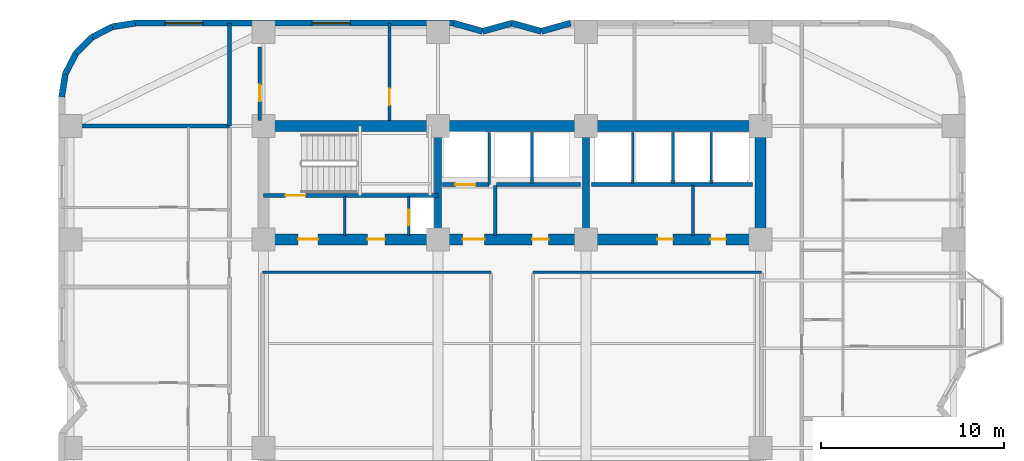
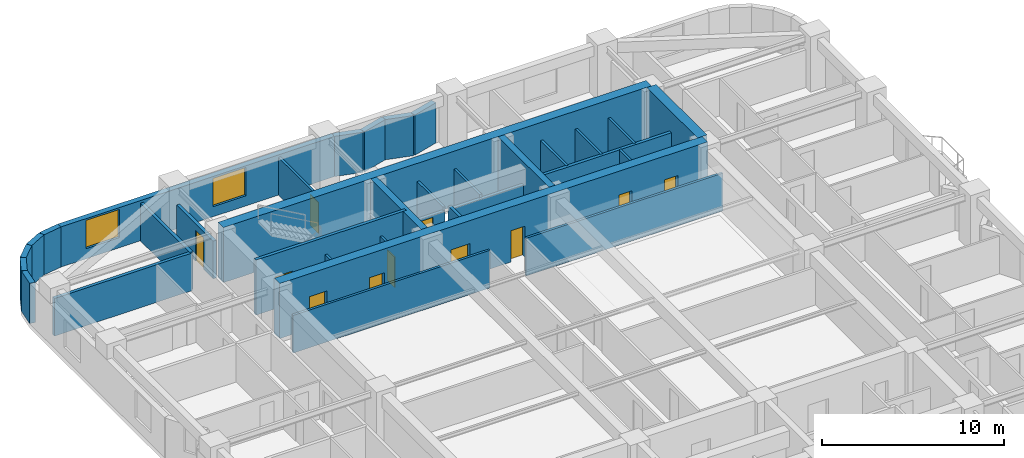
# One storey, part 6 of 9: 34 walls, 11 doors, 2 windows, 13 openings.
"""IFC4 building model written with IfcOpenShell, lengths in metres."""

from ifc_helpers import new_model, si_unit, direction, frame, frame_2d, origin, place, context, subcontext, project, spatial, rectangle, extrude, material, layer, layer_set, type_object, element, fill, save


model = new_model("IFC4")

# Units and contexts
model_context = context("Model", 3, precision=1e-05, world=origin(), true_north=direction((0.0, 1.0)))
body_context = subcontext(model_context, "Body", "Model", "MODEL_VIEW")
ifc_project = project(units=[si_unit("LENGTHUNIT", "METRE"), si_unit("AREAUNIT", "SQUARE_METRE"), si_unit("VOLUMEUNIT", "CUBIC_METRE"), si_unit("PLANEANGLEUNIT", "RADIAN"), si_unit("MASSUNIT", "GRAM", prefix="KILO")], contexts=[model_context])

# Site, building, storey
site_placement = place(None, origin())
site = spatial("IfcSite", under=ifc_project, at=site_placement, CompositionType="ELEMENT")
building_placement = place(site_placement, origin())
building = spatial("IfcBuilding", under=site, at=building_placement, Name="Svetorya Sky Lyceum", CompositionType="ELEMENT")
storey_placement = place(building_placement, frame((0.0, 0.0, 47.300048828125)))
storey = spatial("IfcBuildingStorey", under=building, at=storey_placement, Name="L11", CompositionType="ELEMENT", Elevation=47.300048828125)

# Walls
ifc_material_1 = material(Name="Concrete C40/50", Category="concrete")
ifc_layer_1 = layer(ifc_material_1, 0.39990234375)
ifc_layer_set_1 = layer_set([ifc_layer_1], Name="Concrete C40/50")
wall_type_1 = type_object("IfcWallType", Name="WL-CORE-400", PredefinedType="SHEAR", material=ifc_layer_set_1)
for number, where, z_axis, x_axis, name in (
    (1, (35.14990234375, 39.89990234375, 0.0), (0.0, 0.0, 1.0), (0.0, 1.0, 0.0), "L11 NC Internal Shear Web WEB1"),
    (2, (43.25, 39.89990234375, 0.0), (0.0, 0.0, 1.0), (0.0, 1.0, 0.0), "L11 NC Internal Shear Web WEB2"),
):
    element("IfcWall", number, at=place(storey_placement, frame(where, z_axis=z_axis, x_axis=x_axis)), inside=storey, type_object=wall_type_1, Name=name, PredefinedType="SHEAR", context=body_context, shape_type="SweptSolid", body=[
        extrude(rectangle(XDim=5.60009765625, YDim=0.39990234375, at=frame_2d((2.800048828125, 0.0))), origin(), (0.0, 0.0, 1.0), 3.699951171875),
    ])
ifc_material_2 = material(Name="Concrete C60/75", Category="concrete")
ifc_layer_2 = layer(ifc_material_2, 0.60009765625)
ifc_layer_set_2 = layer_set([ifc_layer_2], Name="Concrete C60/75")
wall_type_2 = type_object("IfcWallType", Name="WL-CORE-600", PredefinedType="SHEAR", material=ifc_layer_set_2)
wall_1_placement = place(storey_placement, frame((25.60009765625, 45.800048828125, 0.0), z_axis=(0.0, 0.0, 1.0), x_axis=(1.0, 0.0, 0.0)))
element("IfcWall", 3, at=wall_1_placement, inside=storey, type_object=wall_type_2, Name="L11 NC Outer Core Shear Wall", PredefinedType="SHEAR", context=body_context, shape_type="SweptSolid", body=[
    extrude(rectangle(XDim=27.199951171875, YDim=0.60009765625, at=frame_2d((13.60009765625, 0.0))), origin(), (0.0, 0.0, 1.0), 3.699951171875),
])
wall_2_placement = place(storey_placement, frame((52.800048828125, 39.89990234375, 0.0), z_axis=(0.0, 0.0, 1.0), x_axis=(0.0, 1.0, 0.0)))
element("IfcWall", 4, at=wall_2_placement, inside=storey, type_object=wall_type_2, Name="L11 NC East Core Shear Wall", PredefinedType="SHEAR", context=body_context, shape_type="SweptSolid", body=[
    extrude(rectangle(XDim=5.60009765625, YDim=0.60009765625, at=frame_2d((2.800048828125, 0.0))), origin(), (0.0, 0.0, 1.0), 3.699951171875),
])

# Wall, openings, doors
wall_3_placement = place(storey_placement, frame((52.800048828125, 39.60009765625, 0.0), z_axis=(0.0, 0.0, 1.0), x_axis=(-1.0, 0.0, 0.0)))
wall_3 = element("IfcWall", 5, at=wall_3_placement, inside=storey, type_object=wall_type_2, Name="L11 NC Inner Core Shear Wall", PredefinedType="SHEAR", context=body_context, shape_type="SweptSolid", body=[
    extrude(rectangle(XDim=27.199951171875, YDim=0.60009765625, at=frame_2d((13.60009765625, 0.0))), origin(), (0.0, 0.0, 1.0), 3.699951171875),
])
opening_1_placement = place(wall_3_placement, frame((24.199951171875, 0.0, 0.0)))
opening_1 = element("IfcOpeningElement", 6, at=opening_1_placement, cuts=wall_3, Name="Opening D-ST1", PredefinedType="OPENING", context=body_context, shape_type="SweptSolid", body=[
    extrude(rectangle(XDim=1.10009765625, YDim=2.14990234375, at=frame_2d((0.550048828125, 1.074951171875))), frame((0.0, 0.31005859375, 0.0), z_axis=(0.0, -1.0, 0.0), x_axis=(1.0, 0.0, 0.0)), (0.0, 0.0, 1.0), 0.6201171875),
])
opening_2_placement = place(wall_3_placement, frame((20.550048828125, 0.0, 0.0)))
opening_2 = element("IfcOpeningElement", 7, at=opening_2_placement, cuts=wall_3, Name="Opening D-CAC1", PredefinedType="OPENING", context=body_context, shape_type="SweptSolid", body=[
    extrude(rectangle(XDim=0.949951171875, YDim=2.10009765625, at=frame_2d((0.47509765625, 1.050048828125))), frame((0.0, 0.31005859375, 0.0), z_axis=(0.0, -1.0, 0.0), x_axis=(1.0, 0.0, 0.0)), (0.0, 0.0, 1.0), 0.6201171875),
])
opening_3_placement = place(wall_3_placement, frame((15.10009765625, 0.0, 0.0)))
opening_3 = element("IfcOpeningElement", 8, at=opening_3_placement, cuts=wall_3, Name="Opening D-FL1", PredefinedType="OPENING", context=body_context, shape_type="SweptSolid", body=[
    extrude(rectangle(XDim=1.199951171875, YDim=2.14990234375, at=frame_2d((0.60009765625, 1.074951171875))), frame((0.0, 0.31005859375, 0.0), z_axis=(0.0, -1.0, 0.0), x_axis=(1.0, 0.0, 0.0)), (0.0, 0.0, 1.0), 0.6201171875),
])
opening_4_placement = place(wall_3_placement, frame((11.60009765625, 0.0, 0.0)))
opening_4 = element("IfcOpeningElement", 9, at=opening_4_placement, cuts=wall_3, Name="Opening D-RM1", PredefinedType="OPENING", context=body_context, shape_type="SweptSolid", body=[
    extrude(rectangle(XDim=0.89990234375, YDim=2.10009765625, at=frame_2d((0.449951171875, 1.050048828125))), frame((0.0, 0.31005859375, 0.0), z_axis=(0.0, -1.0, 0.0), x_axis=(1.0, 0.0, 0.0)), (0.0, 0.0, 1.0), 0.6201171875),
])
opening_5_placement = place(wall_3_placement, frame((4.800048828125, 0.0, 0.0)))
opening_5 = element("IfcOpeningElement", 10, at=opening_5_placement, cuts=wall_3, Name="Opening D-CWC1", PredefinedType="OPENING", context=body_context, shape_type="SweptSolid", body=[
    extrude(rectangle(XDim=0.85009765625, YDim=2.10009765625, at=frame_2d((0.425048828125, 1.050048828125))), frame((0.0, 0.31005859375, 0.0), z_axis=(0.0, -1.0, 0.0), x_axis=(1.0, 0.0, 0.0)), (0.0, 0.0, 1.0), 0.6201171875),
])
opening_6_placement = place(wall_3_placement, frame((1.89990234375, 0.0, 0.0)))
opening_6 = element("IfcOpeningElement", 11, at=opening_6_placement, cuts=wall_3, Name="Opening D-CWC1", PredefinedType="OPENING", context=body_context, shape_type="SweptSolid", body=[
    extrude(rectangle(XDim=0.85009765625, YDim=2.10009765625, at=frame_2d((0.425048828125, 1.050048828125))), frame((0.0, 0.31005859375, 0.0), z_axis=(0.0, -1.0, 0.0), x_axis=(1.0, 0.0, 0.0)), (0.0, 0.0, 1.0), 0.6201171875),
])
ifc_material_3 = material(Name="Fire-rated galvanized steel core accessible WC door", Category="steel")
door_type_1 = type_object("IfcDoorType", Name="DR-CACC-950", OperationType="SINGLE_SWING_LEFT", PredefinedType="DOOR", material=ifc_material_3)
door_1_placement = place(opening_2_placement, origin())
door_1 = element("IfcDoor", 12, at=door_1_placement, inside=storey, type_object=door_type_1, Name="L11 North Core Accessible WC Door", OperationType="SINGLE_SWING_RIGHT", OverallHeight=2.10009765625, OverallWidth=0.949951171875, PredefinedType="DOOR", context=body_context, shape_type="SweptSolid", body=[
    extrude(rectangle(XDim=0.949951171875, YDim=2.10009765625, at=frame_2d((0.47509765625, 1.050048828125))), frame((0.0, 0.02490234375, 0.0), z_axis=(0.0, -1.0, 0.0), x_axis=(1.0, 0.0, 0.0)), (0.0, 0.0, 1.0), 0.050048828125),
])
fill(opening_2, door_1)
ifc_material_4 = material(Name="Fire-rated galvanized steel core service closet door", Category="steel")
door_type_2 = type_object("IfcDoorType", Name="DR-CWET-850", OperationType="SINGLE_SWING_LEFT", PredefinedType="DOOR", material=ifc_material_4)
door_2_placement = place(opening_5_placement, origin())
door_2 = element("IfcDoor", 13, at=door_2_placement, inside=storey, type_object=door_type_2, Name="L11 North Pantry Door", OperationType="SINGLE_SWING_LEFT", OverallHeight=2.10009765625, OverallWidth=0.85009765625, PredefinedType="DOOR", context=body_context, shape_type="SweptSolid", body=[
    extrude(rectangle(XDim=0.85009765625, YDim=2.10009765625, at=frame_2d((0.425048828125, 1.050048828125))), frame((0.0, 0.02490234375, 0.0), z_axis=(0.0, -1.0, 0.0), x_axis=(1.0, 0.0, 0.0)), (0.0, 0.0, 1.0), 0.050048828125),
])
fill(opening_5, door_2)
door_3_placement = place(opening_6_placement, origin())
door_3 = element("IfcDoor", 14, at=door_3_placement, inside=storey, type_object=door_type_2, Name="L11 North Laundry Door", OperationType="SINGLE_SWING_RIGHT", OverallHeight=2.10009765625, OverallWidth=0.85009765625, PredefinedType="DOOR", context=body_context, shape_type="SweptSolid", body=[
    extrude(rectangle(XDim=0.85009765625, YDim=2.10009765625, at=frame_2d((0.425048828125, 1.050048828125))), frame((0.0, 0.02490234375, 0.0), z_axis=(0.0, -1.0, 0.0), x_axis=(1.0, 0.0, 0.0)), (0.0, 0.0, 1.0), 0.050048828125),
])
fill(opening_6, door_3)
ifc_material_5 = material(Name="Powder-coated insulated galvanized stair fire door")
door_type_3 = type_object("IfcDoorType", Name="DR-FIRE-1100", OperationType="SINGLE_SWING_LEFT", PredefinedType="DOOR", material=ifc_material_5)
door_4_placement = place(opening_1_placement, origin())
door_4 = element("IfcDoor", 15, at=door_4_placement, inside=storey, type_object=door_type_3, Name="L11 North Stair Airlock Door", OperationType="SINGLE_SWING_LEFT", OverallHeight=2.14990234375, OverallWidth=1.10009765625, PredefinedType="DOOR", context=body_context, shape_type="SweptSolid", body=[
    extrude(rectangle(XDim=1.10009765625, YDim=2.14990234375, at=frame_2d((0.550048828125, 1.074951171875))), frame((0.0, 0.02490234375, 0.0), z_axis=(0.0, -1.0, 0.0), x_axis=(1.0, 0.0, 0.0)), (0.0, 0.0, 1.0), 0.050048828125),
])
fill(opening_1, door_4)
ifc_material_6 = material(Name="Powder-coated insulated galvanized fire door")
door_type_4 = type_object("IfcDoorType", Name="DR-FIRE-1200", OperationType="SINGLE_SWING_LEFT", PredefinedType="DOOR", material=ifc_material_6)
door_5_placement = place(opening_3_placement, origin())
door_5 = element("IfcDoor", 16, at=door_5_placement, inside=storey, type_object=door_type_4, Name="L11 North Firefighting Lift Lobby Door", OperationType="SINGLE_SWING_RIGHT", OverallHeight=2.14990234375, OverallWidth=1.199951171875, PredefinedType="DOOR", context=body_context, shape_type="SweptSolid", body=[
    extrude(rectangle(XDim=1.199951171875, YDim=2.14990234375, at=frame_2d((0.60009765625, 1.074951171875))), frame((0.0, 0.02490234375, 0.0), z_axis=(0.0, -1.0, 0.0), x_axis=(1.0, 0.0, 0.0)), (0.0, 0.0, 1.0), 0.050048828125),
])
fill(opening_3, door_5)
ifc_material_7 = material(Name="Lacquered birch veneer internal door")
door_type_5 = type_object("IfcDoorType", Name="DR-INT-900", OperationType="SINGLE_SWING_LEFT", PredefinedType="DOOR", material=ifc_material_7)
door_6_placement = place(opening_4_placement, origin())
door_6 = element("IfcDoor", 17, at=door_6_placement, inside=storey, type_object=door_type_5, Name="L11 North Laundry Door", OperationType="SINGLE_SWING_RIGHT", OverallHeight=2.10009765625, OverallWidth=0.89990234375, PredefinedType="DOOR", context=body_context, shape_type="SweptSolid", body=[
    extrude(rectangle(XDim=0.89990234375, YDim=2.10009765625, at=frame_2d((0.449951171875, 1.050048828125))), frame((0.0, 0.02490234375, 0.0), z_axis=(0.0, -1.0, 0.0), x_axis=(1.0, 0.0, 0.0)), (0.0, 0.0, 1.0), 0.050048828125),
])
fill(opening_4, door_6)

# Walls
ifc_material_8 = material(Name="Putilovo limestone rainscreen on autoclaved cellular masonry", Category="masonry")
ifc_layer_3 = layer(ifc_material_8, 0.340087890625)
ifc_layer_set_3 = layer_set([ifc_layer_3], Name="Putilovo limestone rainscreen on autoclaved cellular masonry")
wall_type_3 = type_object("IfcWallType", Name="WL-EXT-340", PredefinedType="SOLIDWALL", material=ifc_layer_set_3)
wall_4_placement = place(storey_placement, frame((42.39990234375, 51.429931640625, 0.0), z_axis=(0.0, 0.0, 1.0), x_axis=(-0.962652136636, -0.270741322725, 0.0)))
element("IfcWall", 18, at=wall_4_placement, inside=storey, type_object=wall_type_3, Name="L11 Limestone Exterior Wall 30M", PredefinedType="SOLIDWALL", context=body_context, shape_type="SweptSolid", body=[
    extrude(rectangle(XDim=1.661865234375, YDim=0.340087890625, at=frame_2d((0.8310546875, 0.0))), origin(), (0.0, 0.0, 1.0), 2.699951171875),
])
wall_5_placement = place(storey_placement, frame((40.800048828125, 50.97998046875, 0.0), z_axis=(0.0, 0.0, 1.0), x_axis=(-0.962662902433, 0.270703040766, 0.0)))
element("IfcWall", 19, at=wall_5_placement, inside=storey, type_object=wall_type_3, Name="L11 Limestone Exterior Wall 31M", PredefinedType="SOLIDWALL", context=body_context, shape_type="SweptSolid", body=[
    extrude(rectangle(XDim=1.662109375, YDim=0.340087890625, at=frame_2d((0.8310546875, 0.0))), origin(), (0.0, 0.0, 1.0), 2.699951171875),
])
wall_6_placement = place(storey_placement, frame((39.199951171875, 51.429931640625, 0.0), z_axis=(0.0, 0.0, 1.0), x_axis=(-0.962652136636, -0.270741322725, 0.0)))
element("IfcWall", 20, at=wall_6_placement, inside=storey, type_object=wall_type_3, Name="L11 Limestone Exterior Wall 32M", PredefinedType="SOLIDWALL", context=body_context, shape_type="SweptSolid", body=[
    extrude(rectangle(XDim=1.661865234375, YDim=0.340087890625, at=frame_2d((0.8310546875, 0.0))), origin(), (0.0, 0.0, 1.0), 2.699951171875),
])
wall_7_placement = place(storey_placement, frame((37.60009765625, 50.97998046875, 0.0), z_axis=(0.0, 0.0, 1.0), x_axis=(-0.962662902433, 0.270703040766, 0.0)))
element("IfcWall", 21, at=wall_7_placement, inside=storey, type_object=wall_type_3, Name="L11 Limestone Exterior Wall 33M", PredefinedType="SOLIDWALL", context=body_context, shape_type="SweptSolid", body=[
    extrude(rectangle(XDim=1.662109375, YDim=0.340087890625, at=frame_2d((0.8310546875, 0.0))), origin(), (0.0, 0.0, 1.0), 2.699951171875),
])

# Wall, openings, windows
wall_8_placement = place(storey_placement, frame((36.0, 51.429931640625, 0.0), z_axis=(0.0, 0.0, 1.0), x_axis=(-1.0, 0.0, 0.0)))
wall_8 = element("IfcWall", 22, at=wall_8_placement, inside=storey, type_object=wall_type_3, Name="L11 Limestone Exterior Wall 34M", PredefinedType="SOLIDWALL", context=body_context, shape_type="SweptSolid", body=[
    extrude(rectangle(XDim=17.39990234375, YDim=0.340087890625, at=frame_2d((8.699951171875, 0.0))), origin(), (0.0, 0.0, 1.0), 2.699951171875),
])
opening_7_placement = place(wall_8_placement, frame((5.637451171875, 0.0, 0.679931640625)))
opening_7 = element("IfcOpeningElement", 23, at=opening_7_placement, cuts=wall_8, Name="Opening W-R0", PredefinedType="OPENING", context=body_context, shape_type="SweptSolid", body=[
    extrude(rectangle(XDim=2.10009765625, YDim=1.89990234375, at=frame_2d((1.050048828125, 0.949951171875))), frame((0.0, 0.179931640625, 0.0), z_axis=(0.0, -1.0, 0.0), x_axis=(1.0, 0.0, 0.0)), (0.0, 0.0, 1.0), 0.360107421875),
])
opening_8_placement = place(wall_8_placement, frame((13.6875, 0.0, 0.679931640625)))
opening_8 = element("IfcOpeningElement", 24, at=opening_8_placement, cuts=wall_8, Name="Opening W-R0", PredefinedType="OPENING", context=body_context, shape_type="SweptSolid", body=[
    extrude(rectangle(XDim=2.10009765625, YDim=1.89990234375, at=frame_2d((1.050048828125, 0.949951171875))), frame((0.0, 0.179931640625, 0.0), z_axis=(0.0, -1.0, 0.0), x_axis=(1.0, 0.0, 0.0)), (0.0, 0.0, 1.0), 0.360107421875),
])
ifc_material_9 = material(Name="Thermally broken aluminium frame with triple low-E glazing", Category="aluminium")
window_type = type_object("IfcWindowType", Name="WN-RES-210", PartitioningType="TRIPLE_PANEL_VERTICAL", PredefinedType="WINDOW", material=ifc_material_9)
window_1_placement = place(opening_7_placement, origin())
window_1 = element("IfcWindow", 25, at=window_1_placement, inside=storey, type_object=window_type, Name="L11 Facade Window W-R0.34M.1", OverallHeight=1.89990234375, OverallWidth=2.10009765625, PartitioningType="SINGLE_PANEL", PredefinedType="WINDOW", context=body_context, shape_type="SweptSolid", body=[
    extrude(rectangle(XDim=2.10009765625, YDim=1.89990234375, at=frame_2d((1.050048828125, 0.949951171875))), frame((0.0, 0.030029296875, 0.0), z_axis=(0.0, -1.0, 0.0), x_axis=(1.0, 0.0, 0.0)), (0.0, 0.0, 1.0), 0.06005859375),
])
fill(opening_7, window_1)
window_2_placement = place(opening_8_placement, origin())
window_2 = element("IfcWindow", 26, at=window_2_placement, inside=storey, type_object=window_type, Name="L11 Facade Window W-R0.34M.2", OverallHeight=1.89990234375, OverallWidth=2.10009765625, PartitioningType="SINGLE_PANEL", PredefinedType="WINDOW", context=body_context, shape_type="SweptSolid", body=[
    extrude(rectangle(XDim=2.10009765625, YDim=1.89990234375, at=frame_2d((1.050048828125, 0.949951171875))), frame((0.0, 0.030029296875, 0.0), z_axis=(0.0, -1.0, 0.0), x_axis=(1.0, 0.0, 0.0)), (0.0, 0.0, 1.0), 0.06005859375),
])
fill(opening_8, window_2)

# Walls
wall_9_placement = place(storey_placement, frame((18.60009765625, 51.429931640625, 0.0), z_axis=(0.0, 0.0, 1.0), x_axis=(-0.98771582066, -0.156260864002, 0.0)))
element("IfcWall", 27, at=wall_9_placement, inside=storey, type_object=wall_type_3, Name="L11 Limestone Exterior Wall 35M", PredefinedType="SOLIDWALL", context=body_context, shape_type="SweptSolid", body=[
    extrude(rectangle(XDim=1.2607421875, YDim=0.340087890625, at=frame_2d((0.63037109375, 0.0))), origin(), (0.0, 0.0, 1.0), 2.699951171875),
])
for number, where, z_axis, x_axis, name in (
    (28, (17.354736328125, 51.23291015625, 0.0), (0.0, 0.0, 1.0), (-0.890993689142, -0.454015689056, 0.0), "L11 Limestone Exterior Wall 36M"),
    (29, (16.231201171875, 50.660400390625, 0.0), (0.0, 0.0, 1.0), (-0.707106781187, -0.707106781187, 0.0), "L11 Limestone Exterior Wall 37M"),
    (30, (15.339599609375, 49.768798828125, 0.0), (0.0, 0.0, 1.0), (-0.454015689056, -0.890993689142, 0.0), "L11 Limestone Exterior Wall 38M"),
):
    element("IfcWall", number, at=place(storey_placement, frame(where, z_axis=z_axis, x_axis=x_axis)), inside=storey, type_object=wall_type_3, Name=name, PredefinedType="SOLIDWALL", context=body_context, shape_type="SweptSolid", body=[
        extrude(rectangle(XDim=1.260986328125, YDim=0.340087890625, at=frame_2d((0.63037109375, 0.0))), origin(), (0.0, 0.0, 1.0), 2.699951171875),
    ])
wall_10_placement = place(storey_placement, frame((14.76708984375, 48.645263671875, 0.0), z_axis=(0.0, 0.0, 1.0), x_axis=(-0.156260864002, -0.98771582066, 0.0)))
element("IfcWall", 31, at=wall_10_placement, inside=storey, type_object=wall_type_3, Name="L11 Limestone Exterior Wall 39M", PredefinedType="SOLIDWALL", context=body_context, shape_type="SweptSolid", body=[
    extrude(rectangle(XDim=1.2607421875, YDim=0.340087890625, at=frame_2d((0.63037109375, 0.0))), origin(), (0.0, 0.0, 1.0), 2.699951171875),
])

# Wall, opening, door
ifc_material_10 = material(Name="Autoclaved cellular masonry blockwork with acoustic render", Category="masonry")
ifc_layer_4 = layer(ifc_material_10, 0.14990234375)
ifc_layer_set_4 = layer_set([ifc_layer_4], Name="Autoclaved cellular masonry blockwork with acoustic render")
wall_type_4 = type_object("IfcWallType", Name="WL-PART-150", PredefinedType="PARTITIONING", material=ifc_layer_set_4)
wall_11_placement = place(storey_placement, frame((33.550048828125, 39.820068359375, 0.0), z_axis=(0.0, 0.0, 1.0), x_axis=(0.0, 1.0, 0.0)))
wall_11 = element("IfcWall", 32, at=wall_11_placement, inside=storey, type_object=wall_type_4, Name="L11 Interior Partition NC-RSRW", PredefinedType="PARTITIONING", context=body_context, shape_type="SweptSolid", body=[
    extrude(rectangle(XDim=2.1298828125, YDim=0.14990234375, at=frame_2d((1.06494140625, 0.0))), origin(), (0.0, 0.0, 1.0), 2.530029296875),
])
opening_9_placement = place(wall_11_placement, frame((0.550048828125, 0.0, 0.0)))
opening_9 = element("IfcOpeningElement", 33, at=opening_9_placement, cuts=wall_11, Name="Opening D-SH1", PredefinedType="OPENING", context=body_context, shape_type="SweptSolid", body=[
    extrude(rectangle(XDim=0.85009765625, YDim=2.050048828125, at=frame_2d((0.425048828125, 1.02490234375))), frame((0.0, 0.0849609375, 0.0), z_axis=(0.0, -1.0, 0.0), x_axis=(1.0, 0.0, 0.0)), (0.0, 0.0, 1.0), 0.169921875),
])
ifc_material_11 = material(Name="Insulated galvanized riser inspection fire door")
door_type_6 = type_object("IfcDoorType", Name="DR-SHFT-850", OperationType="SINGLE_SWING_LEFT", PredefinedType="TRAPDOOR", material=ifc_material_11)
door_7_placement = place(opening_9_placement, origin())
door_7 = element("IfcDoor", 34, at=door_7_placement, inside=storey, type_object=door_type_6, Name="L11 North Riser Access Door", OperationType="SINGLE_SWING_LEFT", OverallHeight=2.050048828125, OverallWidth=0.85009765625, PredefinedType="TRAPDOOR", context=body_context, shape_type="SweptSolid", body=[
    extrude(rectangle(XDim=0.85009765625, YDim=2.050048828125, at=frame_2d((0.425048828125, 1.02490234375))), frame((0.0, 0.02490234375, 0.0), z_axis=(0.0, -1.0, 0.0), x_axis=(1.0, 0.0, 0.0)), (0.0, 0.0, 1.0), 0.050048828125),
])
fill(opening_9, door_7)

# Walls
wall_12_placement = place(storey_placement, frame((30.050048828125, 39.820068359375, 0.0), z_axis=(0.0, 0.0, 1.0), x_axis=(0.0, 1.0, 0.0)))
element("IfcWall", 35, at=wall_12_placement, inside=storey, type_object=wall_type_4, Name="L11 Interior Partition NC-NWD1", PredefinedType="PARTITIONING", context=body_context, shape_type="SweptSolid", body=[
    extrude(rectangle(XDim=2.1298828125, YDim=0.14990234375, at=frame_2d((1.06494140625, 0.0))), origin(), (0.0, 0.0, 1.0), 2.530029296875),
])
wall_13_placement = place(storey_placement, frame((37.949951171875, 42.60009765625, 0.0), z_axis=(0.0, 0.0, 1.0), x_axis=(0.0, 1.0, 0.0)))
element("IfcWall", 36, at=wall_13_placement, inside=storey, type_object=wall_type_4, Name="L11 Interior Partition NC-FL1SIDE", PredefinedType="PARTITIONING", context=body_context, shape_type="SweptSolid", body=[
    extrude(rectangle(XDim=2.849853515625, YDim=0.14990234375, at=frame_2d((1.4248046875, 0.0))), origin(), (0.0, 0.0, 1.0), 2.530029296875),
])
for number, where, z_axis, x_axis, name in (
    (37, (40.300048828125, 42.64990234375, 0.0), (0.0, 0.0, 1.0), (0.0, 1.0, 0.0), "L11 Interior Partition NC-PM-D1"),
    (38, (45.800048828125, 42.64990234375, 0.0), (0.0, 0.0, 1.0), (0.0, 1.0, 0.0), "L11 Interior Partition NC-PM3-D"),
    (39, (48.0, 42.64990234375, 0.0), (0.0, 0.0, 1.0), (0.0, 1.0, 0.0), "L11 Interior Partition NC-PH-D1"),
    (40, (50.10009765625, 42.64990234375, 0.0), (0.0, 0.0, 1.0), (0.0, 1.0, 0.0), "L11 Interior Partition NC-PH-D2"),
):
    element("IfcWall", number, at=place(storey_placement, frame(where, z_axis=z_axis, x_axis=x_axis)), inside=storey, type_object=wall_type_4, Name=name, PredefinedType="PARTITIONING", context=body_context, shape_type="SweptSolid", body=[
        extrude(rectangle(XDim=2.800048828125, YDim=0.14990234375, at=frame_2d((1.39990234375, 0.0))), origin(), (0.0, 0.0, 1.0), 2.530029296875),
    ])
wall_14_placement = place(storey_placement, frame((49.10009765625, 39.820068359375, 0.0), z_axis=(0.0, 0.0, 1.0), x_axis=(0.0, 1.0, 0.0)))
element("IfcWall", 41, at=wall_14_placement, inside=storey, type_object=wall_type_4, Name="L11 Interior Partition NC-EDH", PredefinedType="PARTITIONING", context=body_context, shape_type="SweptSolid", body=[
    extrude(rectangle(XDim=2.72998046875, YDim=0.14990234375, at=frame_2d((1.364990234375, 0.0))), origin(), (0.0, 0.0, 1.0), 2.530029296875),
])
for number, where, z_axis, x_axis, name in (
    (42, (25.550048828125, 37.800048828125, 0.0), (0.0, 0.0, 1.0), (1.0, 0.0, 0.0), "L11 Interior Partition CN-MID-W"),
    (43, (40.35009765625, 37.800048828125, 0.0), (0.0, 0.0, 1.0), (1.0, 0.0, 0.0), "L11 Interior Partition CN-MID-E"),
):
    element("IfcWall", number, at=place(storey_placement, frame(where, z_axis=z_axis, x_axis=x_axis)), inside=storey, type_object=wall_type_4, Name=name, PredefinedType="PARTITIONING", context=body_context, shape_type="SweptSolid", body=[
        extrude(rectangle(XDim=12.5, YDim=0.14990234375, at=frame_2d((6.25, 0.0))), origin(), (0.0, 0.0, 1.0), 2.530029296875),
    ])

# Wall, opening, door
wall_15_placement = place(storey_placement, frame((32.5, 46.10009765625, 0.0), z_axis=(0.0, 0.0, 1.0), x_axis=(0.0, 1.0, 0.0)))
wall_15 = element("IfcWall", 44, at=wall_15_placement, inside=storey, type_object=wall_type_4, Name="L11 Interior Partition N-D1", PredefinedType="PARTITIONING", context=body_context, shape_type="SweptSolid", body=[
    extrude(rectangle(XDim=5.329833984375, YDim=0.14990234375, at=frame_2d((2.6650390625, 0.0))), origin(), (0.0, 0.0, 1.0), 2.530029296875),
])
opening_10_placement = place(wall_15_placement, frame((0.85009765625, 0.0, 0.0)))
opening_10 = element("IfcOpeningElement", 45, at=opening_10_placement, cuts=wall_15, Name="Opening D-RM1", PredefinedType="OPENING", context=body_context, shape_type="SweptSolid", body=[
    extrude(rectangle(XDim=0.89990234375, YDim=2.10009765625, at=frame_2d((0.449951171875, 1.050048828125))), frame((0.0, 0.0849609375, 0.0), z_axis=(0.0, -1.0, 0.0), x_axis=(1.0, 0.0, 0.0)), (0.0, 0.0, 1.0), 0.169921875),
])
door_8_placement = place(opening_10_placement, origin())
door_8 = element("IfcDoor", 46, at=door_8_placement, inside=storey, type_object=door_type_5, Name="L11 North Store Door", OperationType="SINGLE_SWING_RIGHT", OverallHeight=2.10009765625, OverallWidth=0.89990234375, PredefinedType="DOOR", context=body_context, shape_type="SweptSolid", body=[
    extrude(rectangle(XDim=0.89990234375, YDim=2.10009765625, at=frame_2d((0.449951171875, 1.050048828125))), frame((0.0, 0.02490234375, 0.0), z_axis=(0.0, -1.0, 0.0), x_axis=(1.0, 0.0, 0.0)), (0.0, 0.0, 1.0), 0.050048828125),
])
fill(opening_10, door_8)

ifc_material_12 = material(Name="Autoclaved cellular masonry blockwork with gypsum plaster", Category="masonry")
ifc_layer_5 = layer(ifc_material_12, 0.199951171875)
ifc_layer_set_5 = layer_set([ifc_layer_5], Name="Autoclaved cellular masonry blockwork with gypsum plaster")
wall_type_5 = type_object("IfcWallType", Name="WL-PART-200", PredefinedType="PARTITIONING", material=ifc_layer_set_5)
wall_16_placement = place(storey_placement, frame((37.949951171875, 42.60009765625, 0.0), z_axis=(0.0, 0.0, 1.0), x_axis=(-1.0, 0.0, 0.0)))
wall_16 = element("IfcWall", 47, at=wall_16_placement, inside=storey, type_object=wall_type_5, Name="L11 Interior Partition NC-FL1W", PredefinedType="PARTITIONING", context=body_context, shape_type="SweptSolid", body=[
    extrude(rectangle(XDim=2.550048828125, YDim=0.199951171875, at=frame_2d((1.27490234375, 0.0))), origin(), (0.0, 0.0, 1.0), 2.300048828125),
])
opening_11_placement = place(wall_16_placement, frame((0.75, 0.0, 0.0)))
opening_11 = element("IfcOpeningElement", 48, at=opening_11_placement, cuts=wall_16, Name="Opening LD-FL", PredefinedType="OPENING", context=body_context, shape_type="SweptSolid", body=[
    extrude(rectangle(XDim=1.10009765625, YDim=2.14990234375, at=frame_2d((0.550048828125, 1.074951171875))), frame((0.0, 0.10986328125, 0.0), z_axis=(0.0, -1.0, 0.0), x_axis=(1.0, 0.0, 0.0)), (0.0, 0.0, 1.0), 0.219970703125),
])
ifc_material_13 = material(Name="Fire-rated stainless AISI 304 firefighting lift landing door")
door_type_7 = type_object("IfcDoorType", Name="DR-LIFT-1100", OperationType="SLIDING_TO_LEFT", PredefinedType="DOOR", material=ifc_material_13)
door_9_placement = place(opening_11_placement, origin())
door_9 = element("IfcDoor", 49, at=door_9_placement, inside=storey, type_object=door_type_7, Name="L11 Firefighting Lift FL1 Landing Door", OperationType="SLIDING_TO_LEFT", OverallHeight=2.14990234375, OverallWidth=1.10009765625, PredefinedType="DOOR", context=body_context, shape_type="SweptSolid", body=[
    extrude(rectangle(XDim=1.10009765625, YDim=2.14990234375, at=frame_2d((0.550048828125, 1.074951171875))), frame((0.0, 0.02490234375, 0.0), z_axis=(0.0, -1.0, 0.0), x_axis=(1.0, 0.0, 0.0)), (0.0, 0.0, 1.0), 0.050048828125),
])
fill(opening_11, door_9)

# Walls
wall_17_placement = place(storey_placement, frame((38.280029296875, 39.820068359375, 0.0), z_axis=(0.0, 0.0, 1.0), x_axis=(0.0, 1.0, 0.0)))
element("IfcWall", 50, at=wall_17_placement, inside=storey, type_object=wall_type_5, Name="L11 Interior Partition NC-FFLDIV", PredefinedType="PARTITIONING", context=body_context, shape_type="SweptSolid", body=[
    extrude(rectangle(XDim=2.72998046875, YDim=0.199951171875, at=frame_2d((1.364990234375, 0.0))), origin(), (0.0, 0.0, 1.0), 2.530029296875),
])
wall_18_placement = place(storey_placement, frame((42.949951171875, 42.60009765625, 0.0), z_axis=(0.0, 0.0, 1.0), x_axis=(-1.0, 0.0, 0.0)))
element("IfcWall", 51, at=wall_18_placement, inside=storey, type_object=wall_type_5, Name="L11 Interior Partition NC-PM12W", PredefinedType="PARTITIONING", context=body_context, shape_type="SweptSolid", body=[
    extrude(rectangle(XDim=4.599853515625, YDim=0.199951171875, at=frame_2d((2.2998046875, 0.0))), origin(), (0.0, 0.0, 1.0), 2.300048828125),
])
wall_19_placement = place(storey_placement, frame((52.35009765625, 42.60009765625, 0.0), z_axis=(0.0, 0.0, 1.0), x_axis=(-1.0, 0.0, 0.0)))
element("IfcWall", 52, at=wall_19_placement, inside=storey, type_object=wall_type_5, Name="L11 Interior Partition NC-PHEW", PredefinedType="PARTITIONING", context=body_context, shape_type="SweptSolid", body=[
    extrude(rectangle(XDim=8.800048828125, YDim=0.199951171875, at=frame_2d((4.39990234375, 0.0))), origin(), (0.0, 0.0, 1.0), 2.530029296875),
])
wall_20_placement = place(storey_placement, frame((14.989990234375, 45.800048828125, 0.0), z_axis=(0.0, 0.0, 1.0), x_axis=(1.0, 0.0, 0.0)))
element("IfcWall", 53, at=wall_20_placement, inside=storey, type_object=wall_type_5, Name="L11 Interior Partition W-CAP-N", PredefinedType="PARTITIONING", context=body_context, shape_type="SweptSolid", body=[
    extrude(rectangle(XDim=8.760009765625, YDim=0.199951171875, at=frame_2d((4.3798828125, 0.0))), origin(), (0.0, 0.0, 1.0), 2.530029296875),
])
wall_21_placement = place(storey_placement, frame((23.75, 45.800048828125, 0.0), z_axis=(0.0, 0.0, 1.0), x_axis=(0.0, 1.0, 0.0)))
element("IfcWall", 54, at=wall_21_placement, inside=storey, type_object=wall_type_5, Name="L11 Interior Partition WC-NW-END", PredefinedType="PARTITIONING", context=body_context, shape_type="SweptSolid", body=[
    extrude(rectangle(XDim=5.6298828125, YDim=0.199951171875, at=frame_2d((2.81494140625, 0.0))), origin(), (0.0, 0.0, 1.0), 2.530029296875),
])

# Wall, opening, door
wall_22_placement = place(storey_placement, frame((25.39990234375, 46.10009765625, 0.0), z_axis=(0.0, 0.0, 1.0), x_axis=(0.0, 1.0, 0.0)))
wall_22 = element("IfcWall", 55, at=wall_22_placement, inside=storey, type_object=wall_type_5, Name="L11 Interior Partition N-EW", PredefinedType="PARTITIONING", context=body_context, shape_type="SweptSolid", body=[
    extrude(rectangle(XDim=4.02978515625, YDim=0.199951171875, at=frame_2d((2.014892578125, 0.0))), origin(), (0.0, 0.0, 1.0), 2.530029296875),
])
opening_12_placement = place(wall_22_placement, frame((1.050048828125, 0.0, 0.0)))
opening_12 = element("IfcOpeningElement", 56, at=opening_12_placement, cuts=wall_22, Name="Opening D-RM1", PredefinedType="OPENING", context=body_context, shape_type="SweptSolid", body=[
    extrude(rectangle(XDim=0.89990234375, YDim=2.10009765625, at=frame_2d((0.449951171875, 1.050048828125))), frame((0.0, 0.10986328125, 0.0), z_axis=(0.0, -1.0, 0.0), x_axis=(1.0, 0.0, 0.0)), (0.0, 0.0, 1.0), 0.219970703125),
])
door_10_placement = place(opening_12_placement, origin())
door_10 = element("IfcDoor", 57, at=door_10_placement, inside=storey, type_object=door_type_5, Name="L11 North Study Door", OperationType="SINGLE_SWING_RIGHT", OverallHeight=2.10009765625, OverallWidth=0.89990234375, PredefinedType="DOOR", context=body_context, shape_type="SweptSolid", body=[
    extrude(rectangle(XDim=0.89990234375, YDim=2.10009765625, at=frame_2d((0.449951171875, 1.050048828125))), frame((0.0, 0.02490234375, 0.0), z_axis=(0.0, -1.0, 0.0), x_axis=(1.0, 0.0, 0.0)), (0.0, 0.0, 1.0), 0.050048828125),
])
fill(opening_12, door_10)

ifc_material_14 = material(Name="Concrete C50/60", Category="concrete")
ifc_layer_6 = layer(ifc_material_14, 0.199951171875)
ifc_layer_set_6 = layer_set([ifc_layer_6], Name="Concrete C50/60")
wall_type_6 = type_object("IfcWallType", Name="WL-SHW-200", PredefinedType="SHEAR", material=ifc_layer_set_6)
wall_23_placement = place(storey_placement, frame((35.14990234375, 42.0, 0.0), z_axis=(0.0, 0.0, 1.0), x_axis=(-1.0, 0.0, 0.0)))
wall_23 = element("IfcWall", 58, at=wall_23_placement, inside=storey, type_object=wall_type_6, Name="L11 Structural Stair Shaft Wall NC-STW", PredefinedType="SHEAR", context=body_context, shape_type="SweptSolid", body=[
    extrude(rectangle(XDim=9.5498046875, YDim=0.199951171875, at=frame_2d((4.77490234375, 0.0))), origin(), (0.0, 0.0, 1.0), 3.699951171875),
])
opening_13_placement = place(wall_23_placement, frame((7.25, 0.0, 0.0)))
opening_13 = element("IfcOpeningElement", 59, at=opening_13_placement, cuts=wall_23, Name="Opening D-ST1", PredefinedType="OPENING", context=body_context, shape_type="SweptSolid", body=[
    extrude(rectangle(XDim=1.10009765625, YDim=2.14990234375, at=frame_2d((0.550048828125, 1.074951171875))), frame((0.0, 0.10986328125, 0.0), z_axis=(0.0, -1.0, 0.0), x_axis=(1.0, 0.0, 0.0)), (0.0, 0.0, 1.0), 0.219970703125),
])
door_11_placement = place(opening_13_placement, origin())
door_11 = element("IfcDoor", 60, at=door_11_placement, inside=storey, type_object=door_type_3, Name="L11 Stair ST-N Vestibule Fire Door", OperationType="SINGLE_SWING_RIGHT", OverallHeight=2.14990234375, OverallWidth=1.10009765625, PredefinedType="DOOR", context=body_context, shape_type="SweptSolid", body=[
    extrude(rectangle(XDim=1.10009765625, YDim=2.14990234375, at=frame_2d((0.550048828125, 1.074951171875))), frame((0.0, 0.02490234375, 0.0), z_axis=(0.0, -1.0, 0.0), x_axis=(1.0, 0.0, 0.0)), (0.0, 0.0, 1.0), 0.050048828125),
])
fill(opening_13, door_11)

save(model, "model.ifc")
